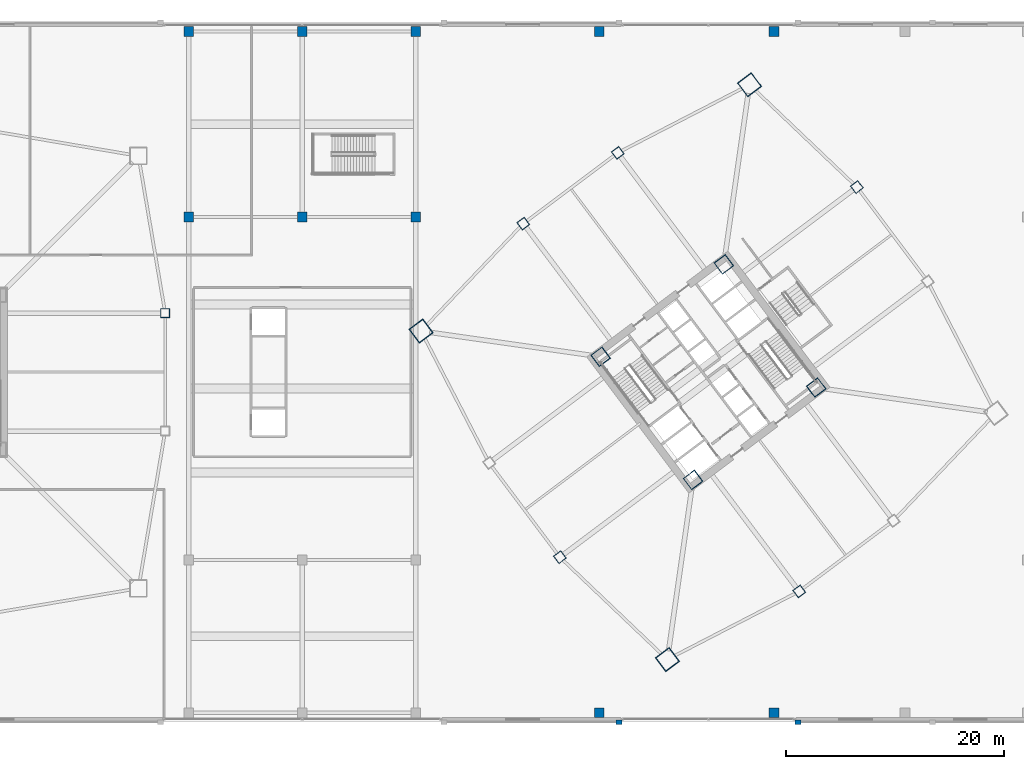
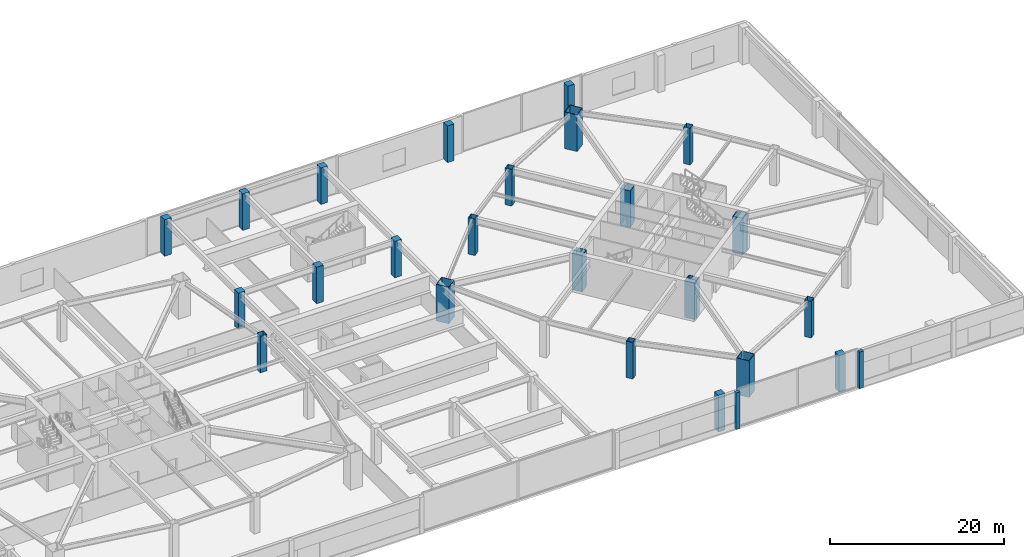
# One storey, part 2 of 48: 25 columns.
"""IFC4 building model written with IfcOpenShell, lengths in metres."""

from ifc_helpers import new_model, si_unit, direction, frame, origin, origin_2d, place, context, subcontext, project, spatial, rectangle, hollow_rectangle, extrude, material, material_profile, profile_set, type_object, element, save


model = new_model("IFC4")

# Units and contexts
model_context = context("Model", 3, precision=1e-05, world=origin(), true_north=direction((0.0, 1.0)))
body_context = subcontext(model_context, "Body", "Model", "MODEL_VIEW")
ifc_project = project(units=[si_unit("LENGTHUNIT", "METRE"), si_unit("AREAUNIT", "SQUARE_METRE"), si_unit("VOLUMEUNIT", "CUBIC_METRE"), si_unit("PLANEANGLEUNIT", "RADIAN"), si_unit("MASSUNIT", "GRAM", prefix="KILO")], contexts=[model_context])

# Site, building, storey
site_placement = place(None, origin())
site = spatial("IfcSite", under=ifc_project, at=site_placement, CompositionType="ELEMENT")
building_placement = place(site_placement, origin())
building = spatial("IfcBuilding", under=site, at=building_placement, Name="Tashvorn Skyway Center", CompositionType="ELEMENT")
storey_placement = place(building_placement, frame((0.0, 0.0, 10.199951171875)))
storey = spatial("IfcBuildingStorey", under=building, at=storey_placement, Name="L02", CompositionType="ELEMENT", Elevation=10.199951171875)

# Columns
ifc_material_1 = material(Name="Steel ASTM A572 Grade 50", Category="steel")
ifc_material_profile_1 = material_profile(ifc_material_1, hollow_rectangle(XDim=1.300048828125, YDim=1.300048828125, WallThickness=0.050048828125, at=origin_2d()), Name="BOX1300x1300x50")
ifc_profile_set_1 = profile_set([ifc_material_profile_1], Name="Steel ASTM A572 Grade 50")
column_type_1 = type_object("IfcColumnType", Name="COL-BOX1300x1300x50", PredefinedType="COLUMN", material=ifc_profile_set_1)
for number, where, z_axis, x_axis, name in (
    (1, (112.590087890625, 22.1298828125, 0.0), (0.0, 0.0, 1.0), (0.799999996291, 0.600000004945, 0.0), "Tower 2 L02 Core Corner Column CC-SW"),
    (2, (123.8701171875, 30.590087890625, 0.0), (0.0, 0.0, 1.0), (0.799999996291, 0.600000004945, 0.0), "Tower 2 L02 Core Corner Column CC-SE"),
    (3, (115.409912109375, 41.8701171875, 0.0), (0.0, 0.0, 1.0), (0.799999996291, 0.600000004945, 0.0), "Tower 2 L02 Core Corner Column CC-NE"),
    (4, (104.1298828125, 33.409912109375, 0.0), (0.0, 0.0, 1.0), (0.799999996291, 0.600000004945, 0.0), "Tower 2 L02 Core Corner Column CC-NW"),
):
    element("IfcColumn", number, at=place(storey_placement, frame(where, z_axis=z_axis, x_axis=x_axis)), inside=storey, type_object=column_type_1, Name=name, PredefinedType="COLUMN", context=body_context, shape_type="SweptSolid", body=[
        extrude(hollow_rectangle(XDim=1.300048828125, YDim=1.300048828125, WallThickness=0.050048828125, at=origin_2d()), origin(), (0.0, 0.0, 1.0), 5.14013671875),
    ])
ifc_material_profile_2 = material_profile(ifc_material_1, hollow_rectangle(XDim=1.60009765625, YDim=1.60009765625, WallThickness=0.06005859375, at=origin_2d()), Name="BOX1600x1600x60")
ifc_profile_set_2 = profile_set([ifc_material_profile_2], Name="Steel ASTM A572 Grade 50")
column_type_2 = type_object("IfcColumnType", Name="COL-BOX1600x1600x60", PredefinedType="COLUMN", material=ifc_profile_set_2)
for number, where, z_axis, x_axis, name in (
    (5, (110.239990234375, 5.679931640625, 0.0), (0.0, 0.0, 1.0), (0.799999996291, 0.600000004945, 0.0), "Tower 2 L02 Mega-Column MC-SW"),
    (6, (117.760009765625, 58.320068359375, 0.0), (0.0, 0.0, 1.0), (0.799999996291, 0.600000004945, 0.0), "Tower 2 L02 Mega-Column MC-NE"),
    (7, (87.679931640625, 35.760009765625, 0.0), (0.0, 0.0, 1.0), (0.799999996291, 0.600000004945, 0.0), "Tower 2 L02 Mega-Column MC-NW"),
):
    element("IfcColumn", number, at=place(storey_placement, frame(where, z_axis=z_axis, x_axis=x_axis)), inside=storey, type_object=column_type_2, Name=name, PredefinedType="COLUMN", context=body_context, shape_type="SweptSolid", body=[
        extrude(hollow_rectangle(XDim=1.60009765625, YDim=1.60009765625, WallThickness=0.06005859375, at=origin_2d()), origin(), (0.0, 0.0, 1.0), 5.14013671875),
    ])
ifc_material_profile_3 = material_profile(ifc_material_1, hollow_rectangle(XDim=0.85009765625, YDim=0.85009765625, WallThickness=0.034912109375, at=origin_2d()), Name="BOX850x850x35")
ifc_profile_set_3 = profile_set([ifc_material_profile_3], Name="Steel ASTM A572 Grade 50")
column_type_3 = type_object("IfcColumnType", Name="COL-BOX850x850x35", PredefinedType="COLUMN", material=ifc_profile_set_3)
for number, where, z_axis, x_axis, name in (
    (8, (64.25, 37.39990234375, 0.0), (0.0, 0.0, 1.0), (1.0, 0.0, 0.0), "Tower 1 L02 Perimeter Column FC-E2"),
    (9, (122.31005859375, 11.919921875, 0.0), (0.0, 0.0, 1.0), (0.799999996291, 0.600000004945, 0.0), "Tower 2 L02 Perimeter Column FC-S1"),
    (10, (127.60009765625, 48.949951171875, 0.0), (0.0, 0.0, 1.0), (0.799999996291, 0.600000004945, 0.0), "Tower 2 L02 Perimeter Column FC-E2"),
    (11, (105.68994140625, 52.080078125, 0.0), (0.0, 0.0, 1.0), (0.799999996291, 0.600000004945, 0.0), "Tower 2 L02 Perimeter Column FC-N1"),
    (12, (97.050048828125, 45.60009765625, 0.0), (0.0, 0.0, 1.0), (0.799999996291, 0.600000004945, 0.0), "Tower 2 L02 Perimeter Column FC-N2"),
    (13, (100.39990234375, 15.050048828125, 0.0), (0.0, 0.0, 1.0), (0.799999996291, 0.600000004945, 0.0), "Tower 2 L02 Perimeter Column FC-W2"),
):
    element("IfcColumn", number, at=place(storey_placement, frame(where, z_axis=z_axis, x_axis=x_axis)), inside=storey, type_object=column_type_3, Name=name, PredefinedType="COLUMN", context=body_context, shape_type="SweptSolid", body=[
        extrude(hollow_rectangle(XDim=0.85009765625, YDim=0.85009765625, WallThickness=0.034912109375, at=origin_2d()), origin(), (0.0, 0.0, 1.0), 5.14013671875),
    ])
ifc_material_2 = material(Name="Concrete C50/60", Category="concrete")
ifc_material_profile_4 = material_profile(ifc_material_2, rectangle(XDim=0.89990234375, YDim=0.89990234375, at=origin_2d()), Name="RC900x900")
ifc_profile_set_4 = profile_set([ifc_material_profile_4], Name="Concrete C50/60")
column_type_4 = type_object("IfcColumnType", Name="COL-RC900x900", PredefinedType="COLUMN", material=ifc_profile_set_4)
for number, where, z_axis, x_axis, name in (
    (14, (66.39990234375, 63.199951171875, 0.0), (0.0, 0.0, 1.0), (1.0, 0.0, 0.0), "L02 Podium Column PC-04-2"),
    (15, (76.800048828125, 63.199951171875, 0.0), (0.0, 0.0, 1.0), (1.0, 0.0, 0.0), "L02 Podium Column PC-05-2"),
    (16, (87.199951171875, 63.199951171875, 0.0), (0.0, 0.0, 1.0), (1.0, 0.0, 0.0), "L02 Podium Column PC-06-2"),
    (17, (104.0, 0.800048828125, 0.0), (0.0, 0.0, 1.0), (1.0, 0.0, 0.0), "L02 Podium Column PC-07-1"),
    (18, (104.0, 63.199951171875, 0.0), (0.0, 0.0, 1.0), (1.0, 0.0, 0.0), "L02 Podium Column PC-07-2"),
    (19, (120.0, 0.800048828125, 0.0), (0.0, 0.0, 1.0), (1.0, 0.0, 0.0), "L02 Podium Column PC-08-1"),
    (20, (120.0, 63.199951171875, 0.0), (0.0, 0.0, 1.0), (1.0, 0.0, 0.0), "L02 Podium Column PC-08-2"),
    (21, (66.39990234375, 46.199951171875, 0.0), (0.0, 0.0, 1.0), (1.0, 0.0, 0.0), "L02 Podium Column PIC-03-2"),
    (22, (76.800048828125, 46.199951171875, 0.0), (0.0, 0.0, 1.0), (1.0, 0.0, 0.0), "L02 Podium Column PIC-04-2"),
    (23, (87.199951171875, 46.199951171875, 0.0), (0.0, 0.0, 1.0), (1.0, 0.0, 0.0), "L02 Podium Column PIC-05-2"),
):
    element("IfcColumn", number, at=place(storey_placement, frame(where, z_axis=z_axis, x_axis=x_axis)), inside=storey, type_object=column_type_4, Name=name, PredefinedType="COLUMN", context=body_context, shape_type="SweptSolid", body=[
        extrude(rectangle(XDim=0.89990234375, YDim=0.89990234375, at=origin_2d()), origin(), (0.0, 0.0, 1.0), 5.14013671875),
    ])
ifc_material_3 = material(Name="Precast concrete C40/50", Category="concrete")
ifc_material_profile_5 = material_profile(ifc_material_3, rectangle(XDim=0.550048828125, YDim=0.39990234375, at=origin_2d()), Name="RCPIL550x400")
ifc_profile_set_5 = profile_set([ifc_material_profile_5], Name="Precast concrete C40/50")
column_type_5 = type_object("IfcColumnType", Name="PIL-RCPIL550x400", PredefinedType="PILASTER", material=ifc_profile_set_5)
for number, where, z_axis, x_axis, name in (
    (24, (105.800048828125, -0.050048828125, 0.0), (0.0, 0.0, 1.0), (1.0, 0.0, 0.0), "L02 South Terracotta Colonnade Pilaster 7"),
    (25, (122.199951171875, -0.050048828125, 0.0), (0.0, 0.0, 1.0), (1.0, 0.0, 0.0), "L02 South Terracotta Colonnade Pilaster 8"),
):
    element("IfcColumn", number, at=place(storey_placement, frame(where, z_axis=z_axis, x_axis=x_axis)), inside=storey, type_object=column_type_5, Name=name, PredefinedType="PILASTER", context=body_context, shape_type="SweptSolid", body=[
        extrude(rectangle(XDim=0.550048828125, YDim=0.39990234375, at=origin_2d()), origin(), (0.0, 0.0, 1.0), 5.14013671875),
    ])

save(model, "model.ifc")
